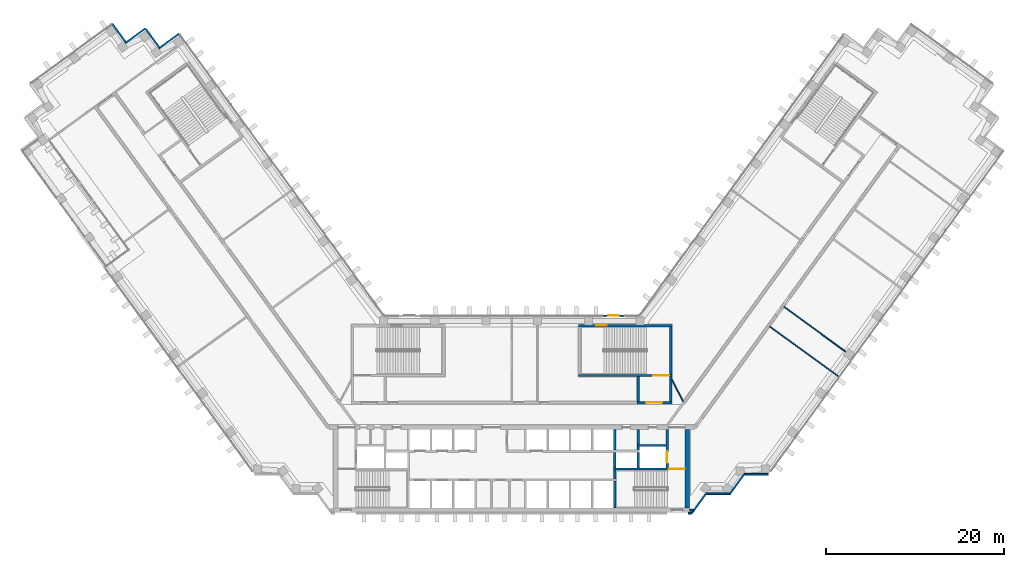
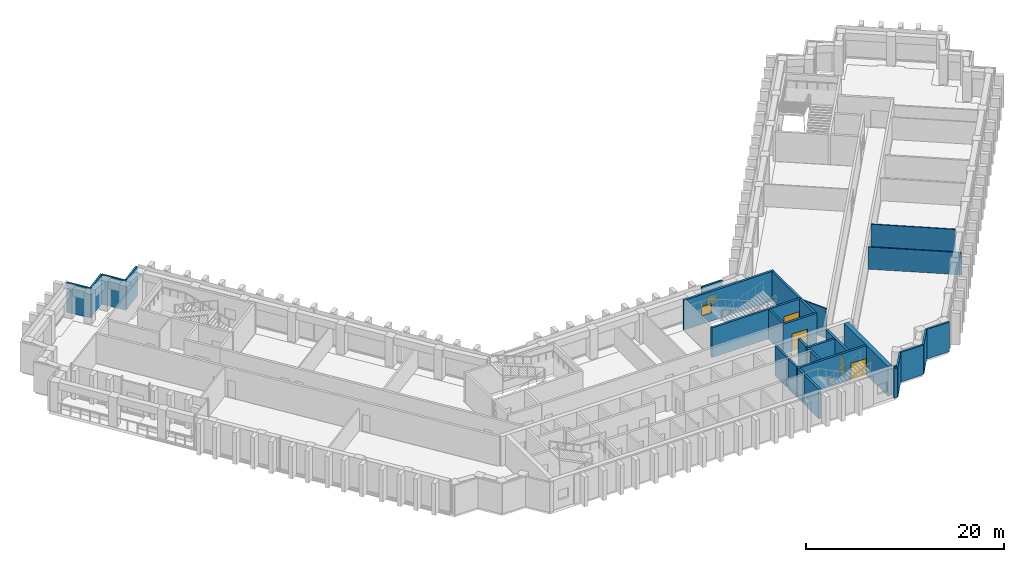
# One storey, part 12 of 17: 31 walls, 4 doors, 2 windows, 6 openings.
"""IFC4 building model written with IfcOpenShell, lengths in metres."""

from ifc_helpers import new_model, si_unit, direction, frame, frame_2d, origin, place, context, subcontext, project, spatial, rectangle, extrude, material, layer, layer_set, type_object, element, fill, save


model = new_model("IFC4")

# Units and contexts
model_context = context("Model", 3, precision=1e-05, world=origin(), true_north=direction((0.0, 1.0)))
body_context = subcontext(model_context, "Body", "Model", "MODEL_VIEW")
ifc_project = project(units=[si_unit("LENGTHUNIT", "METRE"), si_unit("AREAUNIT", "SQUARE_METRE"), si_unit("VOLUMEUNIT", "CUBIC_METRE"), si_unit("PLANEANGLEUNIT", "RADIAN"), si_unit("MASSUNIT", "GRAM", prefix="KILO")], contexts=[model_context])

# Site, building, storey
site_placement = place(None, origin())
site = spatial("IfcSite", under=ifc_project, at=site_placement, CompositionType="ELEMENT")
building_placement = place(site_placement, origin())
building = spatial("IfcBuilding", under=site, at=building_placement, Name="Quipu Civic Tower", CompositionType="ELEMENT")
storey_placement = place(building_placement, frame((0.0, 0.0, 39.0)))
storey = spatial("IfcBuildingStorey", under=building, at=storey_placement, Name="L08", CompositionType="ELEMENT", Elevation=39.0)

# Walls
ifc_material_1 = material(Name="Concrete C70/85", Category="concrete")
ifc_layer_1 = layer(ifc_material_1, 0.25)
ifc_layer_set_1 = layer_set([ifc_layer_1], Name="Concrete C70/85")
wall_type_1 = type_object("IfcWallType", Name="Core wall 250", PredefinedType="SHEAR", material=ifc_layer_set_1)
wall_1_placement = place(storey_placement, frame((11.574951171875, -10.5, 0.0), z_axis=(0.0, 0.0, 1.0), x_axis=(0.0, 1.0, 0.0)))
element("IfcWall", 1, at=wall_1_placement, inside=storey, type_object=wall_type_1, Name="Core wall", PredefinedType="SHEAR", context=body_context, shape_type="SweptSolid", body=[
    extrude(rectangle(XDim=3.0, YDim=0.25, at=frame_2d((1.5, 0.0))), origin(), (0.0, 0.0, 1.0), 3.64990234375),
])
wall_2_placement = place(storey_placement, frame((11.574951171875, -7.25, 0.0), z_axis=(0.0, 0.0, 1.0), x_axis=(0.0, 1.0, 0.0)))
element("IfcWall", 2, at=wall_2_placement, inside=storey, type_object=wall_type_1, Name="Core wall", PredefinedType="SHEAR", context=body_context, shape_type="SweptSolid", body=[
    extrude(rectangle(XDim=1.0, YDim=0.25, at=frame_2d((0.5, 0.0))), origin(), (0.0, 0.0, 1.0), 3.64990234375),
])

# Wall, opening, door
wall_3_placement = place(storey_placement, frame((19.5, -6.125, 0.0), z_axis=(0.0, 0.0, 1.0), x_axis=(-1.0, 0.0, 0.0)))
wall_3 = element("IfcWall", 3, at=wall_3_placement, inside=storey, type_object=wall_type_1, Name="Core wall", PredefinedType="SHEAR", context=body_context, shape_type="SweptSolid", body=[
    extrude(rectangle(XDim=8.050048828125, YDim=0.25, at=frame_2d((4.02490234375, 0.0))), origin(), (0.0, 0.0, 1.0), 3.64990234375),
])
opening_1_placement = place(wall_3_placement, frame((0.050048828125, 0.0, 0.0)))
opening_1 = element("IfcOpeningElement", 4, at=opening_1_placement, cuts=wall_3, Name="Opening CD-05", PredefinedType="OPENING", context=body_context, shape_type="SweptSolid", body=[
    extrude(rectangle(XDim=1.800048828125, YDim=2.10009765625, at=frame_2d((0.89990234375, 1.050048828125))), frame((0.0, 0.135009765625, 0.0), z_axis=(0.0, -1.0, 0.0), x_axis=(1.0, 0.0, 0.0)), (0.0, 0.0, 1.0), 0.27001953125),
])
ifc_material_2 = material(Name="Fire rated steel door", Category="steel")
door_type_1 = type_object("IfcDoorType", Name="Fire door FD90 double 1800 x 2100", OperationType="NOTDEFINED", PredefinedType="DOOR", material=ifc_material_2)
door_1_placement = place(opening_1_placement, origin())
door_1 = element("IfcDoor", 5, at=door_1_placement, inside=storey, type_object=door_type_1, Name="Door", OperationType="DOUBLE_DOOR_SINGLE_SWING", OverallHeight=2.10009765625, OverallWidth=1.800048828125, PredefinedType="DOOR", context=body_context, shape_type="SweptSolid", body=[
    extrude(rectangle(XDim=1.800048828125, YDim=2.10009765625, at=frame_2d((0.89990234375, 1.050048828125))), frame((0.0, 0.02490234375, 0.0), z_axis=(0.0, -1.0, 0.0), x_axis=(1.0, 0.0, 0.0)), (0.0, 0.0, 1.0), 0.050048828125),
])
fill(opening_1, door_1)

# Walls
for number, where, z_axis, x_axis, name in (
    (6, (11.574951171875, -6.0, 0.0), (0.0, 0.0, 1.0), (0.0, 1.0, 0.0), "Core wall"),
    (7, (14.22509765625, -6.0, 0.0), (0.0, 0.0, 1.0), (0.0, 1.0, 0.0), "Core wall"),
):
    element("IfcWall", number, at=place(storey_placement, frame(where, z_axis=z_axis, x_axis=x_axis)), inside=storey, type_object=wall_type_1, Name=name, PredefinedType="SHEAR", context=body_context, shape_type="SweptSolid", body=[
        extrude(rectangle(XDim=1.75, YDim=0.25, at=frame_2d((0.875, 0.0))), origin(), (0.0, 0.0, 1.0), 3.64990234375),
    ])

# Wall, opening, door
wall_4_placement = place(storey_placement, frame((17.47509765625, -6.0, 0.0), z_axis=(0.0, 0.0, 1.0), x_axis=(0.0, 1.0, 0.0)))
wall_4 = element("IfcWall", 8, at=wall_4_placement, inside=storey, type_object=wall_type_1, Name="Core wall", PredefinedType="SHEAR", context=body_context, shape_type="SweptSolid", body=[
    extrude(rectangle(XDim=4.300048828125, YDim=0.25, at=frame_2d((2.14990234375, 0.0))), origin(), (0.0, 0.0, 1.0), 3.64990234375),
])
opening_2_placement = place(wall_4_placement, frame((0.550048828125, 0.0, 0.0)))
opening_2 = element("IfcOpeningElement", 9, at=opening_2_placement, cuts=wall_4, Name="Opening LD-FF2", PredefinedType="OPENING", context=body_context, shape_type="SweptSolid", body=[
    extrude(rectangle(XDim=1.300048828125, YDim=2.10009765625, at=frame_2d((0.64990234375, 1.050048828125))), frame((0.0, 0.135009765625, 0.0), z_axis=(0.0, -1.0, 0.0), x_axis=(1.0, 0.0, 0.0)), (0.0, 0.0, 1.0), 0.27001953125),
])
ifc_material_3 = material(Name="Stainless steel", Category="steel")
door_type_2 = type_object("IfcDoorType", Name="Lift landing door 1300 x 2100", OperationType="DOUBLE_DOOR_SLIDING", PredefinedType="DOOR", material=ifc_material_3)
door_2_placement = place(opening_2_placement, origin())
door_2 = element("IfcDoor", 10, at=door_2_placement, inside=storey, type_object=door_type_2, Name="Landing door FF2", OperationType="DOUBLE_DOOR_SLIDING", OverallHeight=2.10009765625, OverallWidth=1.300048828125, PredefinedType="DOOR", context=body_context, shape_type="SweptSolid", body=[
    extrude(rectangle(XDim=1.300048828125, YDim=2.10009765625, at=frame_2d((0.64990234375, 1.050048828125))), frame((0.0, 0.02490234375, 0.0), z_axis=(0.0, -1.0, 0.0), x_axis=(1.0, 0.0, 0.0)), (0.0, 0.0, 1.0), 0.050048828125),
])
fill(opening_2, door_2)

# Walls
wall_5_placement = place(storey_placement, frame((11.574951171875, -4.0, 0.0), z_axis=(0.0, 0.0, 1.0), x_axis=(0.0, 1.0, 0.0)))
element("IfcWall", 11, at=wall_5_placement, inside=storey, type_object=wall_type_1, Name="Core wall", PredefinedType="SHEAR", context=body_context, shape_type="SweptSolid", body=[
    extrude(rectangle(XDim=2.300048828125, YDim=0.25, at=frame_2d((1.14990234375, 0.0))), origin(), (0.0, 0.0, 1.0), 3.64990234375),
])
wall_6_placement = place(storey_placement, frame((14.22509765625, -4.0, 0.0), z_axis=(0.0, 0.0, 1.0), x_axis=(0.0, 1.0, 0.0)))
element("IfcWall", 12, at=wall_6_placement, inside=storey, type_object=wall_type_1, Name="Core wall", PredefinedType="SHEAR", context=body_context, shape_type="SweptSolid", body=[
    extrude(rectangle(XDim=0.39990234375, YDim=0.25, at=frame_2d((0.199951171875, 0.0))), origin(), (0.0, 0.0, 1.0), 3.64990234375),
])
wall_7_placement = place(storey_placement, frame((14.10009765625, -3.47509765625, 0.0), z_axis=(0.0, 0.0, 1.0), x_axis=(1.0, 0.0, 0.0)))
element("IfcWall", 13, at=wall_7_placement, inside=storey, type_object=wall_type_1, Name="Core wall", PredefinedType="SHEAR", context=body_context, shape_type="SweptSolid", body=[
    extrude(rectangle(XDim=3.25, YDim=0.25, at=frame_2d((1.625, 0.0))), origin(), (0.0, 0.0, 1.0), 3.64990234375),
])
wall_8_placement = place(storey_placement, frame((14.22509765625, -3.35009765625, 0.0), z_axis=(0.0, 0.0, 1.0), x_axis=(0.0, 1.0, 0.0)))
element("IfcWall", 14, at=wall_8_placement, inside=storey, type_object=wall_type_1, Name="Core wall", PredefinedType="SHEAR", context=body_context, shape_type="SweptSolid", body=[
    extrude(rectangle(XDim=1.650146484375, YDim=0.25, at=frame_2d((0.8251953125, 0.0))), origin(), (0.0, 0.0, 1.0), 3.64990234375),
])

# Wall, opening, door
wall_9_placement = place(storey_placement, frame((14.10009765625, 1.324951171875, 0.0), z_axis=(0.0, 0.0, 1.0), x_axis=(1.0, 0.0, 0.0)))
wall_9 = element("IfcWall", 15, at=wall_9_placement, inside=storey, type_object=wall_type_1, Name="Core wall", PredefinedType="SHEAR", context=body_context, shape_type="SweptSolid", body=[
    extrude(rectangle(XDim=3.89990234375, YDim=0.25, at=frame_2d((1.949951171875, 0.0))), origin(), (0.0, 0.0, 1.0), 3.64990234375),
])
opening_3_placement = place(wall_9_placement, frame((1.0, 0.0, 0.0)))
opening_3 = element("IfcOpeningElement", 16, at=opening_3_placement, cuts=wall_9, Name="Opening CD-17", PredefinedType="OPENING", context=body_context, shape_type="SweptSolid", body=[
    extrude(rectangle(XDim=1.800048828125, YDim=2.10009765625, at=frame_2d((0.89990234375, 1.050048828125))), frame((0.0, 0.135009765625, 0.0), z_axis=(0.0, -1.0, 0.0), x_axis=(1.0, 0.0, 0.0)), (0.0, 0.0, 1.0), 0.27001953125),
])
door_3_placement = place(opening_3_placement, origin())
door_3 = element("IfcDoor", 17, at=door_3_placement, inside=storey, type_object=door_type_1, Name="Lobby door", OperationType="DOUBLE_DOOR_SINGLE_SWING", OverallHeight=2.10009765625, OverallWidth=1.800048828125, PredefinedType="DOOR", context=body_context, shape_type="SweptSolid", body=[
    extrude(rectangle(XDim=1.800048828125, YDim=2.10009765625, at=frame_2d((0.89990234375, 1.050048828125))), frame((0.0, 0.02490234375, 0.0), z_axis=(0.0, -1.0, 0.0), x_axis=(1.0, 0.0, 0.0)), (0.0, 0.0, 1.0), 0.050048828125),
])
fill(opening_3, door_3)

# Walls
for number, where, z_axis, x_axis, name in (
    (18, (14.22509765625, 1.449951171875, 0.0), (0.0, 0.0, 1.0), (0.0, 1.0, 0.0), "Core wall"),
    (19, (17.875, 1.449951171875, 0.0), (0.0, 0.0, 1.0), (0.0, 1.0, 0.0), "Core wall"),
):
    element("IfcWall", number, at=place(storey_placement, frame(where, z_axis=z_axis, x_axis=x_axis)), inside=storey, type_object=wall_type_1, Name=name, PredefinedType="SHEAR", context=body_context, shape_type="SweptSolid", body=[
        extrude(rectangle(XDim=2.800048828125, YDim=0.25, at=frame_2d((1.39990234375, 0.0))), origin(), (0.0, 0.0, 1.0), 3.64990234375),
    ])

# Wall, opening, door
wall_10_placement = place(storey_placement, frame((7.5, 4.375, 0.0), z_axis=(0.0, 0.0, 1.0), x_axis=(1.0, 0.0, 0.0)))
wall_10 = element("IfcWall", 20, at=wall_10_placement, inside=storey, type_object=wall_type_1, Name="Core wall", PredefinedType="SHEAR", context=body_context, shape_type="SweptSolid", body=[
    extrude(rectangle(XDim=10.5, YDim=0.25, at=frame_2d((5.25, 0.0))), origin(), (0.0, 0.0, 1.0), 3.64990234375),
])
opening_4_placement = place(wall_10_placement, frame((8.39990234375, 0.0, 0.0)))
opening_4 = element("IfcOpeningElement", 21, at=opening_4_placement, cuts=wall_10, Name="Opening CD-18", PredefinedType="OPENING", context=body_context, shape_type="SweptSolid", body=[
    extrude(rectangle(XDim=1.800048828125, YDim=2.10009765625, at=frame_2d((0.89990234375, 1.050048828125))), frame((0.0, 0.135009765625, 0.0), z_axis=(0.0, -1.0, 0.0), x_axis=(1.0, 0.0, 0.0)), (0.0, 0.0, 1.0), 0.27001953125),
])
door_4_placement = place(opening_4_placement, origin())
door_4 = element("IfcDoor", 22, at=door_4_placement, inside=storey, type_object=door_type_1, Name="Door", OperationType="DOUBLE_DOOR_SINGLE_SWING", OverallHeight=2.10009765625, OverallWidth=1.800048828125, PredefinedType="DOOR", context=body_context, shape_type="SweptSolid", body=[
    extrude(rectangle(XDim=1.800048828125, YDim=2.10009765625, at=frame_2d((0.89990234375, 1.050048828125))), frame((0.0, 0.02490234375, 0.0), z_axis=(0.0, -1.0, 0.0), x_axis=(1.0, 0.0, 0.0)), (0.0, 0.0, 1.0), 0.050048828125),
])
fill(opening_4, door_4)

# Wall
wall_11_placement = place(storey_placement, frame((17.875, 4.5, 0.0), z_axis=(0.0, 0.0, 1.0), x_axis=(0.0, 1.0, 0.0)))
element("IfcWall", 23, at=wall_11_placement, inside=storey, type_object=wall_type_1, Name="Core wall", PredefinedType="SHEAR", context=body_context, shape_type="SweptSolid", body=[
    extrude(rectangle(XDim=5.35009765625, YDim=0.25, at=frame_2d((2.675048828125, 0.0))), origin(), (0.0, 0.0, 1.0), 3.64990234375),
])

# Wall, opening, window
wall_12_placement = place(storey_placement, frame((7.5, 9.97509765625, 0.0), z_axis=(0.0, 0.0, 1.0), x_axis=(1.0, 0.0, 0.0)))
wall_12 = element("IfcWall", 24, at=wall_12_placement, inside=storey, type_object=wall_type_1, Name="Core wall", PredefinedType="SHEAR", context=body_context, shape_type="SweptSolid", body=[
    extrude(rectangle(XDim=10.5, YDim=0.25, at=frame_2d((5.25, 0.0))), origin(), (0.0, 0.0, 1.0), 3.64990234375),
])
opening_5_placement = place(wall_12_placement, frame((2.0, 0.0, 1.0)))
opening_5 = element("IfcOpeningElement", 25, at=opening_5_placement, cuts=wall_12, Name="Opening SV-4", PredefinedType="OPENING", context=body_context, shape_type="SweptSolid", body=[
    extrude(rectangle(XDim=1.199951171875, YDim=1.199951171875, at=frame_2d((0.60009765625, 0.60009765625))), frame((0.0, 0.135009765625, 0.0), z_axis=(0.0, -1.0, 0.0), x_axis=(1.0, 0.0, 0.0)), (0.0, 0.0, 1.0), 0.27001953125),
])
ifc_material_4 = material(Name="Aluminium louvre", Category="aluminium")
window_type_1 = type_object("IfcWindowType", Name="Stair ventilation louvre 1200 x 1200", PartitioningType="SINGLE_PANEL", PredefinedType="WINDOW", material=ifc_material_4)
window_1_placement = place(opening_5_placement, origin())
window_1 = element("IfcWindow", 26, at=window_1_placement, inside=storey, type_object=window_type_1, Name="Stair ventilation opening", OverallHeight=1.199951171875, OverallWidth=1.199951171875, PartitioningType="SINGLE_PANEL", PredefinedType="WINDOW", context=body_context, shape_type="SweptSolid", body=[
    extrude(rectangle(XDim=1.199951171875, YDim=1.199951171875, at=frame_2d((0.60009765625, 0.60009765625))), frame((0.0, 0.030029296875, 0.0), z_axis=(0.0, -1.0, 0.0), x_axis=(1.0, 0.0, 0.0)), (0.0, 0.0, 1.0), 0.06005859375),
])
fill(opening_5, window_1)

# Walls
ifc_material_5 = material(Name="Concrete C70/85", Category="concrete")
ifc_layer_2 = layer(ifc_material_5, 0.5)
ifc_layer_set_2 = layer_set([ifc_layer_2], Name="Concrete C70/85")
wall_type_2 = type_object("IfcWallType", Name="Core wall 500", PredefinedType="SHEAR", material=ifc_layer_set_2)
wall_13_placement = place(storey_placement, frame((19.75, -10.5, 0.0), z_axis=(0.0, 0.0, 1.0), x_axis=(0.0, 1.0, 0.0)))
element("IfcWall", 27, at=wall_13_placement, inside=storey, type_object=wall_type_2, Name="Core wall", PredefinedType="SHEAR", context=body_context, shape_type="SweptSolid", body=[
    extrude(rectangle(XDim=8.800048828125, YDim=0.5, at=frame_2d((4.39990234375, 0.0))), origin(), (0.0, 0.0, 1.0), 3.64990234375),
])
ifc_material_6 = material(Name="Gypsum plasterboard on light gauge framing")
ifc_layer_3 = layer(ifc_material_6, 0.1201171875)
ifc_layer_set_3 = layer_set([ifc_layer_3], Name="Gypsum plasterboard on light gauge framing")
wall_type_3 = type_object("IfcWallType", Name="Partition 120 plasterboard", PredefinedType="PARTITIONING", material=ifc_layer_set_3)
wall_14_placement = place(storey_placement, frame((36.7021484375, 4.274169921875, 0.0), z_axis=(0.0, 0.0, 1.0), x_axis=(-0.808998008689, 0.58781138296, 0.0)))
element("IfcWall", 28, at=wall_14_placement, inside=storey, type_object=wall_type_3, Name="Partition P02", PredefinedType="PARTITIONING", context=body_context, shape_type="SweptSolid", body=[
    extrude(rectangle(XDim=9.5498046875, YDim=0.1201171875, at=frame_2d((4.77490234375, 0.0))), origin(), (0.0, 0.0, 1.0), 2.75),
])
wall_15_placement = place(storey_placement, frame((30.5869140625, 12.104248046875, 0.0), z_axis=(0.0, 0.0, 1.0), x_axis=(0.807590933527, -0.589743066161, 0.0)))
element("IfcWall", 29, at=wall_15_placement, inside=storey, type_object=wall_type_3, Name="Partition P04", PredefinedType="PARTITIONING", context=body_context, shape_type="SweptSolid", body=[
    extrude(rectangle(XDim=8.594482421875, YDim=0.1201171875, at=frame_2d((4.29736328125, 0.0))), origin(), (0.0, 0.0, 1.0), 3.64990234375),
])
wall_16_placement = place(storey_placement, frame((18.0, 3.925048828125, 0.0), z_axis=(0.0, 0.0, 1.0), x_axis=(0.453950796792, -0.891026752736, 0.0)))
element("IfcWall", 30, at=wall_16_placement, inside=storey, type_object=wall_type_3, Name="Partition P17", PredefinedType="PARTITIONING", context=body_context, shape_type="SweptSolid", body=[
    extrude(rectangle(XDim=2.77783203125, YDim=0.1201171875, at=frame_2d((1.388916015625, 0.0))), origin(), (0.0, 0.0, 1.0), 3.64990234375),
])
ifc_material_7 = material(Name="Precast concrete C40/50", Category="concrete")
wall_type_4 = type_object("IfcWallType", Name="Precast cladding wall", PredefinedType="SOLIDWALL", material=ifc_material_7)
wall_17_placement = place(storey_placement, frame((19.85009765625, -11.087890625, 0.0), z_axis=(0.0, 0.0, 1.0), x_axis=(1.0, 0.0, 0.0)))
element("IfcWall", 31, at=wall_17_placement, inside=storey, type_object=wall_type_4, Name="Precast cladding wall L08 P08", PredefinedType="SOLIDWALL", context=body_context, shape_type="SweptSolid", body=[
    extrude(rectangle(XDim=0.40576171875, YDim=0.199951171875, at=frame_2d((0.202880859375, 0.0))), origin(), (0.0, 0.0, 1.0), 3.64990234375),
])
wall_18_placement = place(storey_placement, frame((20.253173828125, -11.083251953125, 0.0), z_axis=(0.0, 0.0, 1.0), x_axis=(0.587766567315, 0.809030569476, 0.0)))
element("IfcWall", 32, at=wall_18_placement, inside=storey, type_object=wall_type_4, Name="Precast cladding wall L08 P09", PredefinedType="SOLIDWALL", context=body_context, shape_type="SweptSolid", body=[
    extrude(rectangle(XDim=2.687744140625, YDim=0.199951171875, at=frame_2d((1.34375, 0.0))), origin(), (0.0, 0.0, 1.0), 3.64990234375),
])
wall_19_placement = place(storey_placement, frame((21.8427734375, -8.90380859375, 0.0), z_axis=(0.0, 0.0, 1.0), x_axis=(1.0, 0.0, 0.0)))
element("IfcWall", 33, at=wall_19_placement, inside=storey, type_object=wall_type_4, Name="Precast cladding wall L08 P10", PredefinedType="SOLIDWALL", context=body_context, shape_type="SweptSolid", body=[
    extrude(rectangle(XDim=2.699951171875, YDim=0.199951171875, at=frame_2d((1.35009765625, 0.0))), origin(), (0.0, 0.0, 1.0), 3.64990234375),
])
wall_20_placement = place(storey_placement, frame((24.533203125, -8.90869140625, 0.0), z_axis=(0.0, 0.0, 1.0), x_axis=(0.587720002413, 0.809064397168, 0.0)))
element("IfcWall", 34, at=wall_20_placement, inside=storey, type_object=wall_type_4, Name="Precast cladding wall L08 P11", PredefinedType="SOLIDWALL", context=body_context, shape_type="SweptSolid", body=[
    extrude(rectangle(XDim=2.7001953125, YDim=0.199951171875, at=frame_2d((1.35009765625, 0.0))), origin(), (0.0, 0.0, 1.0), 3.64990234375),
])
wall_21_placement = place(storey_placement, frame((26.1298828125, -6.71923828125, 0.0), z_axis=(0.0, 0.0, 1.0), x_axis=(1.0, 0.0, 0.0)))
element("IfcWall", 35, at=wall_21_placement, inside=storey, type_object=wall_type_4, Name="Precast cladding wall L08 P12", PredefinedType="SOLIDWALL", context=body_context, shape_type="SweptSolid", body=[
    extrude(rectangle(XDim=2.699951171875, YDim=0.199951171875, at=frame_2d((1.35009765625, 0.0))), origin(), (0.0, 0.0, 1.0), 3.64990234375),
])

# Wall, opening, window
wall_22_placement = place(storey_placement, frame((12.655029296875, 11.10009765625, 0.0), z_axis=(0.0, 0.0, 1.0), x_axis=(-1.0, 0.0, 0.0)))
wall_22 = element("IfcWall", 36, at=wall_22_placement, inside=storey, type_object=wall_type_4, Name="Vent surround SF-L06-2", PredefinedType="SOLIDWALL", context=body_context, shape_type="SweptSolid", body=[
    extrude(rectangle(XDim=2.3916015625, YDim=0.199951171875, at=frame_2d((1.19580078125, 0.0))), origin(), (0.0, 0.0, 1.0), 3.64990234375),
])
opening_6_placement = place(wall_22_placement, frame((0.595703125, 0.0, 1.0)))
opening_6 = element("IfcOpeningElement", 37, at=opening_6_placement, cuts=wall_22, Name="Opening SF-L06-2", PredefinedType="OPENING", context=body_context, shape_type="SweptSolid", body=[
    extrude(rectangle(XDim=1.199951171875, YDim=1.199951171875, at=frame_2d((0.60009765625, 0.60009765625))), frame((0.0, 0.10986328125, 0.0), z_axis=(0.0, -1.0, 0.0), x_axis=(1.0, 0.0, 0.0)), (0.0, 0.0, 1.0), 0.219970703125),
])
ifc_material_8 = material(Name="Anodised aluminium louvre", Category="aluminium")
window_type_2 = type_object("IfcWindowType", Name="Stair vent louvre window P3", PartitioningType="SINGLE_PANEL", PredefinedType="WINDOW", material=ifc_material_8)
window_2_placement = place(opening_6_placement, origin())
window_2 = element("IfcWindow", 38, at=window_2_placement, inside=storey, type_object=window_type_2, Name="Stair vent louvre SF-L06-2", OverallHeight=1.199951171875, OverallWidth=1.199951171875, PartitioningType="SINGLE_PANEL", PredefinedType="WINDOW", context=body_context, shape_type="SweptSolid", body=[
    extrude(rectangle(XDim=1.199951171875, YDim=1.199951171875, at=frame_2d((0.60009765625, 0.60009765625))), frame((0.0, 0.030029296875, 0.0), z_axis=(0.0, -1.0, 0.0), x_axis=(1.0, 0.0, 0.0)), (0.0, 0.0, 1.0), 0.06005859375),
])
fill(opening_6, window_2)

# Walls
wall_23_placement = place(storey_placement, frame((-37.352783203125, 42.768310546875, 0.0), z_axis=(0.0, 0.0, 1.0), x_axis=(-0.809033161865, -0.587762999008, 0.0)))
element("IfcWall", 39, at=wall_23_placement, inside=storey, type_object=wall_type_4, Name="Precast cladding wall L08 P30", PredefinedType="SOLIDWALL", context=body_context, shape_type="SweptSolid", body=[
    extrude(rectangle(XDim=2.699951171875, YDim=0.199951171875, at=frame_2d((1.35009765625, 0.0))), origin(), (0.0, 0.0, 1.0), 3.64990234375),
])
wall_24_placement = place(storey_placement, frame((-39.488037109375, 41.093505859375, 0.0), z_axis=(0.0, 0.0, 1.0), x_axis=(-0.587806000234, 0.809001919707, 0.0)))
element("IfcWall", 40, at=wall_24_placement, inside=storey, type_object=wall_type_4, Name="Precast cladding wall L08 P31", PredefinedType="SOLIDWALL", context=body_context, shape_type="SweptSolid", body=[
    extrude(rectangle(XDim=2.69970703125, YDim=0.199951171875, at=frame_2d((1.349853515625, 0.0))), origin(), (0.0, 0.0, 1.0), 3.64990234375),
])
for number, where, z_axis, x_axis, name in (
    (41, (-41.1240234375, 43.36572265625, 0.0), (0.0, 0.0, 1.0), (-0.809033161865, -0.587762999008, 0.0), "Precast cladding wall L08 P32"),
    (42, (-43.25927734375, 41.690673828125, 0.0), (0.0, 0.0, 1.0), (-0.587822180636, 0.808990163075, 0.0), "Precast cladding wall L08 P33"),
):
    element("IfcWall", number, at=place(storey_placement, frame(where, z_axis=z_axis, x_axis=x_axis)), inside=storey, type_object=wall_type_4, Name=name, PredefinedType="SOLIDWALL", context=body_context, shape_type="SweptSolid", body=[
        extrude(rectangle(XDim=2.699951171875, YDim=0.199951171875, at=frame_2d((1.35009765625, 0.0))), origin(), (0.0, 0.0, 1.0), 3.64990234375),
    ])
wall_25_placement = place(storey_placement, frame((19.97998046875, -10.75, 0.0), z_axis=(0.0, 0.0, 1.0), x_axis=(1.0, 0.0, 0.0)))
element("IfcWall", 43, at=wall_25_placement, inside=storey, type_object=wall_type_4, Name="Precast cladding return L08 E", PredefinedType="SOLIDWALL", context=body_context, shape_type="SweptSolid", body=[
    extrude(rectangle(XDim=0.41650390625, YDim=0.199951171875, at=frame_2d((0.208251953125, 0.0))), origin(), (0.0, 0.0, 1.0), 3.64990234375),
])

save(model, "model.ifc")
